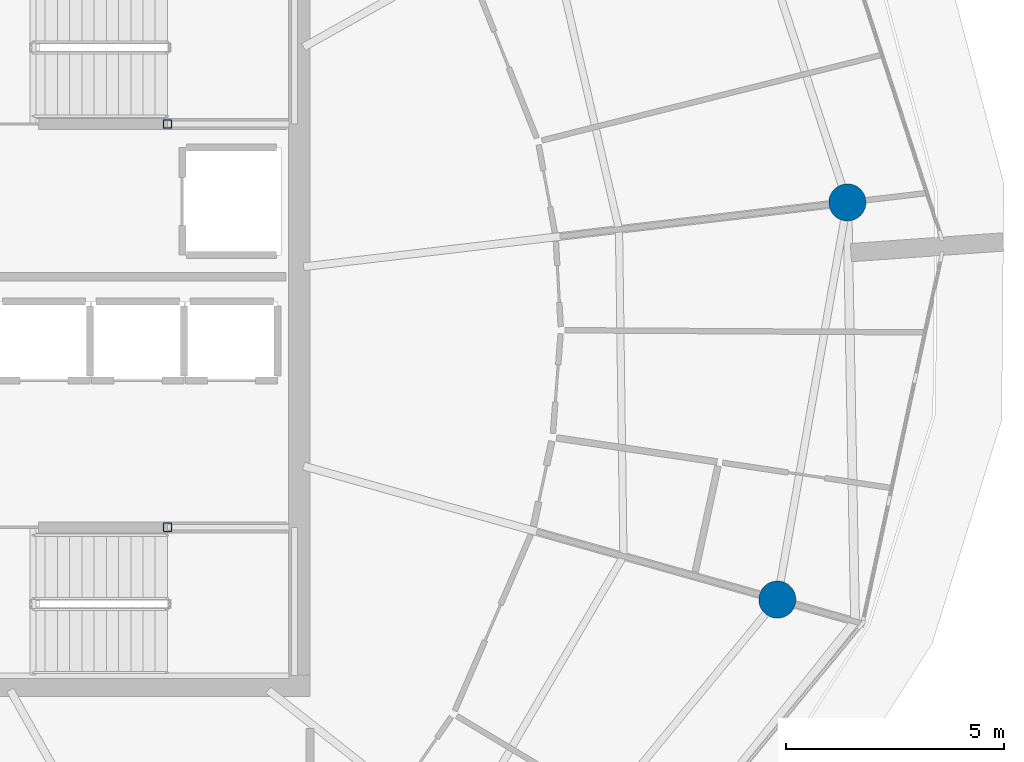
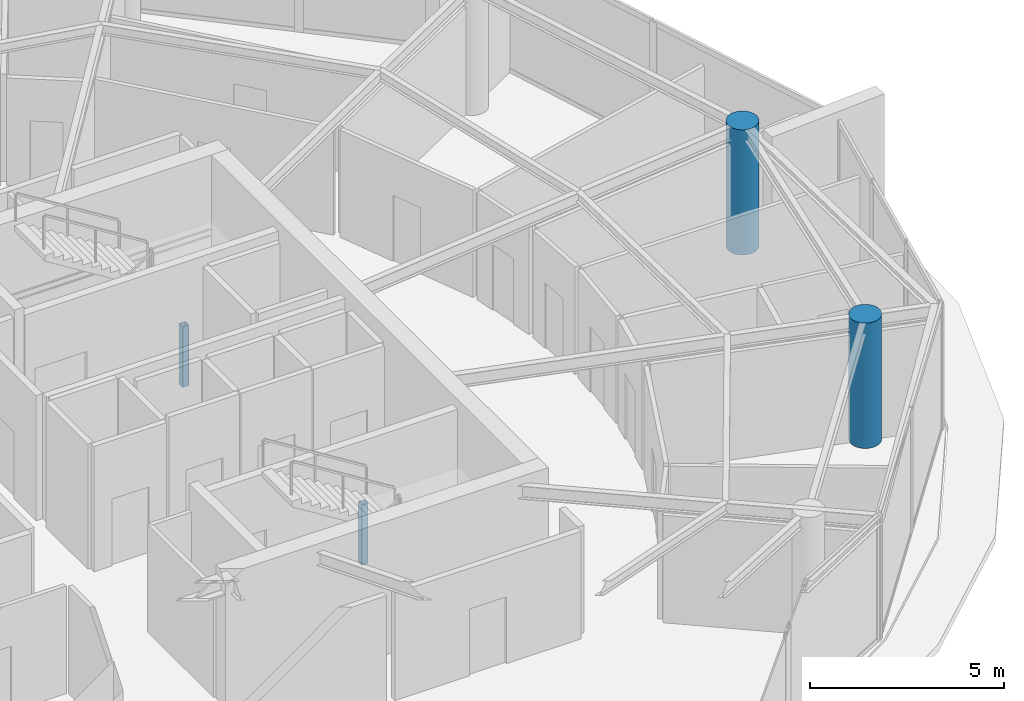
# One storey, part 3 of 16: 4 columns.
"""IFC4 building model written with IfcOpenShell, lengths in metres."""

from ifc_helpers import new_model, si_unit, direction, frame, origin, origin_2d, place, context, subcontext, project, spatial, hollow_rectangle, circle, extrude, material, material_profile, profile_set, type_object, element, save


model = new_model("IFC4")

# Units and contexts
model_context = context("Model", 3, precision=1e-05, world=origin(), true_north=direction((0.0, 1.0)))
body_context = subcontext(model_context, "Body", "Model", "MODEL_VIEW")
ifc_project = project(units=[si_unit("LENGTHUNIT", "METRE"), si_unit("AREAUNIT", "SQUARE_METRE"), si_unit("VOLUMEUNIT", "CUBIC_METRE"), si_unit("PLANEANGLEUNIT", "RADIAN"), si_unit("MASSUNIT", "GRAM", prefix="KILO")], contexts=[model_context])

# Site, building, storey
site_placement = place(None, origin())
site = spatial("IfcSite", under=ifc_project, at=site_placement, CompositionType="ELEMENT")
building_placement = place(site_placement, origin())
building = spatial("IfcBuilding", under=site, at=building_placement, Name="Kazma Halo Residences", CompositionType="ELEMENT")
storey_placement = place(building_placement, frame((0.0, 0.0, 313.699951171875)))
storey = spatial("IfcBuildingStorey", under=building, at=storey_placement, Name="L79", CompositionType="ELEMENT", Elevation=313.699951171875)

# Columns
ifc_material_1 = material(Name="Steel S355", Category="steel")
ifc_material_profile_1 = material_profile(ifc_material_1, hollow_rectangle(XDim=0.199951171875, YDim=0.199951171875, WallThickness=0.010009765625, InnerFilletRadius=0.010009765625, OuterFilletRadius=0.02001953125, at=origin_2d()), Name="SHS200x200x10")
ifc_profile_set_1 = profile_set([ifc_material_profile_1], Name="Steel S355")
column_type_1 = type_object("IfcColumnType", Name="COL-LP-SHS200", PredefinedType="COLUMN", material=ifc_profile_set_1)
for number, where, z_axis, x_axis, name in (
    (1, (56.280029296875, 46.6201171875, 0.0), (0.0, 0.0, 1.0), (1.0, 0.0, 0.0), "L79 ST-02 landing pilaster 1"),
    (2, (56.280029296875, 37.3798828125, 0.0), (0.0, 0.0, 1.0), (1.0, 0.0, 0.0), "L79 ST-03 landing pilaster 1"),
):
    element("IfcColumn", number, at=place(storey_placement, frame(where, z_axis=z_axis, x_axis=x_axis)), inside=storey, type_object=column_type_1, Name=name, PredefinedType="COLUMN", context=body_context, shape_type="SweptSolid", body=[
        extrude(hollow_rectangle(XDim=0.199951171875, YDim=0.199951171875, WallThickness=0.010009765625, InnerFilletRadius=0.010009765625, OuterFilletRadius=0.02001953125, at=origin_2d()), origin(), (0.0, 0.0, 1.0), 1.89501953125),
    ])
ifc_material_2 = material(Name="Concrete C60/75", Category="concrete")
ifc_material_profile_2 = material_profile(ifc_material_2, circle(Radius=0.425048828125, at=origin_2d()), Name="CIRC850")
ifc_profile_set_2 = profile_set([ifc_material_profile_2], Name="Concrete C60/75")
column_type_2 = type_object("IfcColumnType", Name="COL-PERIM-850", PredefinedType="COLUMN", material=ifc_profile_set_2)
for number, where, z_axis, x_axis, name in (
    (3, (70.255615234375, 35.723388671875, 0.0), (0.0, 0.0, 1.0), (1.0, 0.0, 0.0), "L79 perimeter ring column P15"),
    (4, (71.8603515625, 44.82421875, 0.0), (0.0, 0.0, 1.0), (1.0, 0.0, 0.0), "L79 perimeter ring column P16"),
):
    element("IfcColumn", number, at=place(storey_placement, frame(where, z_axis=z_axis, x_axis=x_axis)), inside=storey, type_object=column_type_2, Name=name, PredefinedType="COLUMN", context=body_context, shape_type="SweptSolid", body=[
        extrude(circle(Radius=0.425048828125, at=origin_2d()), origin(), (0.0, 0.0, 1.0), 3.93994140625),
    ])

save(model, "model.ifc")
